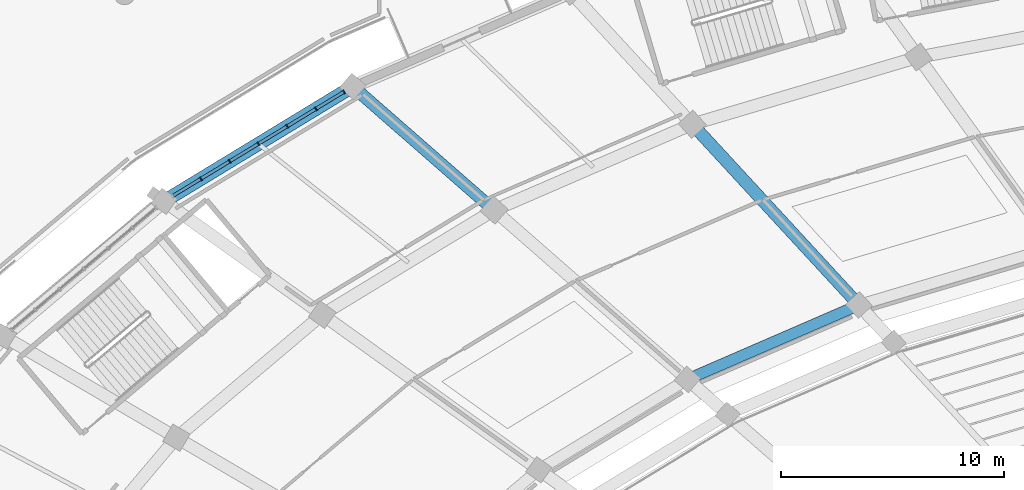
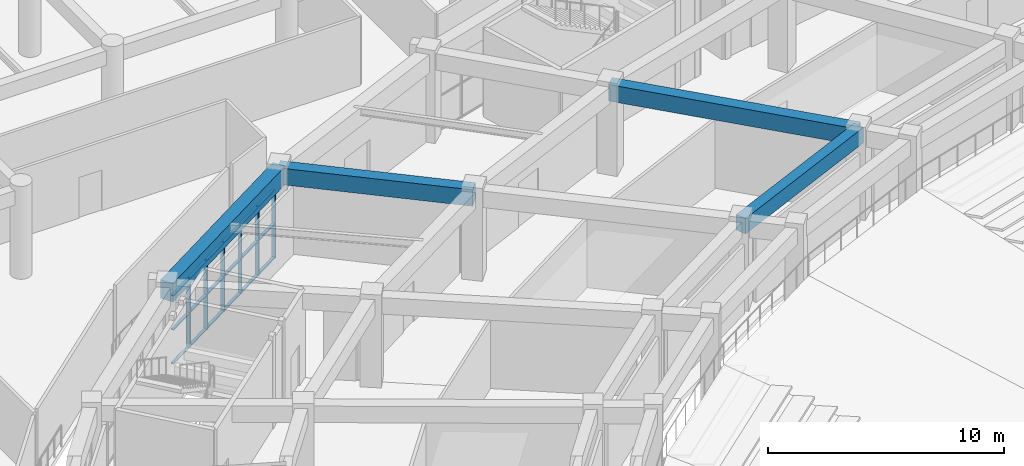
# One storey, part 58 of 152: 24 members, 4 beams, 1 element without a shape of its own.
"""IFC4 building model written with IfcOpenShell, lengths in metres."""

from ifc_helpers import new_model, si_unit, direction, frame, origin, origin_2d, place, context, subcontext, project, spatial, rectangle, extrude, material, layer, layer_set, material_profile, profile_set, type_object, element, aggregate, save


model = new_model("IFC4")

# Units and contexts
model_context = context("Model", 3, precision=1e-05, world=origin(), true_north=direction((0.0, 1.0)))
body_context = subcontext(model_context, "Body", "Model", "MODEL_VIEW")
ifc_project = project(units=[si_unit("LENGTHUNIT", "METRE"), si_unit("AREAUNIT", "SQUARE_METRE"), si_unit("VOLUMEUNIT", "CUBIC_METRE"), si_unit("PLANEANGLEUNIT", "RADIAN"), si_unit("MASSUNIT", "GRAM", prefix="KILO")], contexts=[model_context])

# Site, building, storey
site_placement = place(None, origin())
site = spatial("IfcSite", under=ifc_project, at=site_placement, CompositionType="ELEMENT")
building_placement = place(site_placement, origin())
building = spatial("IfcBuilding", under=site, at=building_placement, Name="Mphavela Belvedere Stadium", CompositionType="ELEMENT")
storey_placement = place(building_placement, frame((0.0, 0.0, 5.39990234375)))
storey = spatial("IfcBuildingStorey", under=building, at=storey_placement, Name="L01", CompositionType="ELEMENT", Elevation=5.39990234375)

# Beams
ifc_material_1 = material(Name="Concrete C40/50", Category="concrete")
ifc_material_profile_1 = material_profile(ifc_material_1, rectangle(XDim=0.60009765625, YDim=0.949951171875, at=origin_2d()), Name="RC 600x950")
ifc_profile_set_1 = profile_set([ifc_material_profile_1], Name="Concrete C40/50")
beam_type_1 = type_object("IfcBeamType", Name="BM-ENTABLATURE-950", PredefinedType="SPANDREL", material=ifc_profile_set_1)
beam_1_placement = place(storey_placement, frame((44.3037109375, 148.86083984375, 4.0751953125), z_axis=(-0.854326607994, -0.51973651678, 0.0), x_axis=(0.51973651678, -0.854326607994, 0.0)))
element("IfcBeam", 1, at=beam_1_placement, inside=storey, type_object=beam_type_1, Name="Circumferential girder L01 R4-18", PredefinedType="SPANDREL", context=body_context, shape_type="SweptSolid", body=[
    extrude(rectangle(XDim=0.60009765625, YDim=0.949951171875, at=origin_2d()), origin(), (0.0, 0.0, 1.0), 9.901611328125),
])
ifc_material_2 = material(Name="Concrete C40/50", Category="concrete")
ifc_material_profile_2 = material_profile(ifc_material_2, rectangle(XDim=0.5, YDim=0.800048828125, at=origin_2d()), Name="RC 500x800")
ifc_profile_set_2 = profile_set([ifc_material_profile_2], Name="Concrete C40/50")
beam_type_2 = type_object("IfcBeamType", Name="BM-RC500x800", PredefinedType="BEAM", material=ifc_profile_set_2)
beam_2_placement = place(storey_placement, frame((66.997314453125, 139.0625, 4.150146484375), z_axis=(-0.917495728928, -0.397745631526, 0.0), x_axis=(0.397745631526, -0.917495728928, 0.0)))
element("IfcBeam", 2, at=beam_2_placement, inside=storey, type_object=beam_type_2, Name="Circumferential girder L01 R2-17", PredefinedType="BEAM", context=body_context, shape_type="SweptSolid", body=[
    extrude(rectangle(XDim=0.5, YDim=0.800048828125, at=origin_2d()), origin(), (0.0, 0.0, 1.0), 8.37841796875),
])
ifc_material_3 = material(Name="Concrete C40/50", Category="concrete")
ifc_material_profile_3 = material_profile(ifc_material_3, rectangle(XDim=0.550048828125, YDim=0.85009765625, at=origin_2d()), Name="RC 550x850")
ifc_profile_set_3 = profile_set([ifc_material_profile_3], Name="Concrete C40/50")
beam_type_3 = type_object("IfcBeamType", Name="BM-RC550x850", PredefinedType="BEAM", material=ifc_profile_set_3)
beam_3_placement = place(storey_placement, frame((66.997314453125, 139.0625, 4.125), z_axis=(-0.677871643116, 0.735180274123, 0.0), x_axis=(-0.735180274123, -0.677871643116, 0.0)))
element("IfcBeam", 3, at=beam_3_placement, inside=storey, type_object=beam_type_3, Name="Radial concourse girder L01 R2R3-17", PredefinedType="BEAM", context=body_context, shape_type="SweptSolid", body=[
    extrude(rectangle(XDim=0.550048828125, YDim=0.85009765625, at=origin_2d()), origin(), (0.0, 0.0, 1.0), 11.025146484375),
])
beam_4_placement = place(storey_placement, frame((50.639892578125, 143.31689453125, 4.125), z_axis=(-0.752589268993, 0.658490236978, 0.0), x_axis=(-0.658490236978, -0.752589268993, 0.0)))
element("IfcBeam", 4, at=beam_4_placement, inside=storey, type_object=beam_type_3, Name="Radial concourse girder L01 R3R4-18", PredefinedType="BEAM", context=body_context, shape_type="SweptSolid", body=[
    extrude(rectangle(XDim=0.550048828125, YDim=0.85009765625, at=origin_2d()), origin(), (0.0, 0.0, 1.0), 8.419189453125),
])

# Curtain wall, members
ifc_material_4 = material(Name="Anodised bronze unitised curtain wall framing")
ifc_layer = layer(ifc_material_4, 0.199951171875)
ifc_layer_set = layer_set([ifc_layer], Name="Anodised bronze unitised curtain wall framing")
curtain_wall_type = type_object("IfcCurtainWallType", Name="CW-UNIT-05", PredefinedType="USERDEFINED", material=ifc_layer_set)
curtain_wall_placement = place(storey_placement, origin())
curtain_wall = element("IfcCurtainWall", 5, at=curtain_wall_placement, inside=storey, type_object=curtain_wall_type, Name="Belvedere colonnade curtain wall L01-18", ObjectType="UNITISED CURTAIN WALL", PredefinedType="USERDEFINED")
ifc_material_5 = material(Name="Anodised bronze extruded aluminium", Category="aluminium")
ifc_material_profile_4 = material_profile(ifc_material_5, rectangle(XDim=0.179931640625, YDim=0.06494140625, at=origin_2d()), Name="CW-MUL 180x65")
ifc_profile_set_4 = profile_set([ifc_material_profile_4], Name="Anodised bronze extruded aluminium")
member_type_1 = type_object("IfcMemberType", Name="CWM-180x65", PredefinedType="MULLION", material=ifc_profile_set_4)
member_1_placement = place(storey_placement, frame((43.91455078125, 148.6240234375, 0.0), z_axis=(0.0, 0.0, 1.0), x_axis=(0.51973463728, -0.8543277514, 0.0)))
member_1 = element("IfcMember", 6, at=member_1_placement, type_object=member_type_1, Name="CW-05 mullion 1", PredefinedType="MULLION", context=body_context, shape_type="SweptSolid", body=[
    extrude(rectangle(XDim=0.179931640625, YDim=0.06494140625, at=origin_2d()), origin(), (0.0, 0.0, 1.0), 3.570068359375),
])
member_2_placement = place(storey_placement, frame((42.653076171875, 147.8564453125, 0.0), z_axis=(0.0, 0.0, 1.0), x_axis=(0.51973463728, -0.8543277514, 0.0)))
member_2 = element("IfcMember", 7, at=member_2_placement, type_object=member_type_1, Name="CW-05 mullion 2", PredefinedType="MULLION", context=body_context, shape_type="SweptSolid", body=[
    extrude(rectangle(XDim=0.179931640625, YDim=0.06494140625, at=origin_2d()), origin(), (0.0, 0.0, 1.0), 3.570068359375),
])
member_3_placement = place(storey_placement, frame((41.363525390625, 147.072021484375, 0.0), z_axis=(0.0, 0.0, 1.0), x_axis=(0.51973463728, -0.8543277514, 0.0)))
member_3 = element("IfcMember", 8, at=member_3_placement, type_object=member_type_1, Name="CW-05 mullion 3", PredefinedType="MULLION", context=body_context, shape_type="SweptSolid", body=[
    extrude(rectangle(XDim=0.179931640625, YDim=0.06494140625, at=origin_2d()), origin(), (0.0, 0.0, 1.0), 3.570068359375),
])
member_4_placement = place(storey_placement, frame((40.07421875, 146.28759765625, 0.0), z_axis=(0.0, 0.0, 1.0), x_axis=(0.51973463728, -0.8543277514, 0.0)))
member_4 = element("IfcMember", 9, at=member_4_placement, type_object=member_type_1, Name="CW-05 mullion 4", PredefinedType="MULLION", context=body_context, shape_type="SweptSolid", body=[
    extrude(rectangle(XDim=0.179931640625, YDim=0.06494140625, at=origin_2d()), origin(), (0.0, 0.0, 1.0), 3.570068359375),
])
member_5_placement = place(storey_placement, frame((38.78466796875, 145.503173828125, 0.0), z_axis=(0.0, 0.0, 1.0), x_axis=(0.51973463728, -0.8543277514, 0.0)))
member_5 = element("IfcMember", 10, at=member_5_placement, type_object=member_type_1, Name="CW-05 mullion 5", PredefinedType="MULLION", context=body_context, shape_type="SweptSolid", body=[
    extrude(rectangle(XDim=0.179931640625, YDim=0.06494140625, at=origin_2d()), origin(), (0.0, 0.0, 1.0), 3.570068359375),
])
member_6_placement = place(storey_placement, frame((37.4951171875, 144.71875, 0.0), z_axis=(0.0, 0.0, 1.0), x_axis=(0.51973463728, -0.8543277514, 0.0)))
member_6 = element("IfcMember", 11, at=member_6_placement, type_object=member_type_1, Name="CW-05 mullion 6", PredefinedType="MULLION", context=body_context, shape_type="SweptSolid", body=[
    extrude(rectangle(XDim=0.179931640625, YDim=0.06494140625, at=origin_2d()), origin(), (0.0, 0.0, 1.0), 3.570068359375),
])
ifc_material_6 = material(Name="Anodised bronze extruded aluminium", Category="aluminium")
ifc_material_profile_5 = material_profile(ifc_material_6, rectangle(XDim=0.139892578125, YDim=0.06005859375, at=origin_2d()), Name="CW-TRN 140x60")
ifc_profile_set_5 = profile_set([ifc_material_profile_5], Name="Anodised bronze extruded aluminium")
member_type_2 = type_object("IfcMemberType", Name="CWT-140x60", PredefinedType="USERDEFINED", material=ifc_profile_set_5)
member_7_placement = place(storey_placement, frame((43.886962890625, 148.607177734375, 0.030029296875), z_axis=(-0.854395503331, -0.519623251874, 0.0), x_axis=(0.519623251874, -0.854395503331, 0.0)))
member_7 = element("IfcMember", 12, at=member_7_placement, type_object=member_type_2, Name="CW-05 transom 1.1", ObjectType="TRANSOM", PredefinedType="USERDEFINED", context=body_context, shape_type="SweptSolid", body=[
    extrude(rectangle(XDim=0.139892578125, YDim=0.06005859375, at=origin_2d()), origin(), (0.0, 0.0, 1.0), 1.411865234375),
])
member_8_placement = place(storey_placement, frame((43.886962890625, 148.607177734375, 1.78515625), z_axis=(-0.854395503331, -0.519623251874, 0.0), x_axis=(0.519623251874, -0.854395503331, 0.0)))
member_8 = element("IfcMember", 13, at=member_8_placement, type_object=member_type_2, Name="CW-05 transom 1.2", ObjectType="TRANSOM", PredefinedType="USERDEFINED", context=body_context, shape_type="SweptSolid", body=[
    extrude(rectangle(XDim=0.139892578125, YDim=0.06005859375, at=origin_2d()), origin(), (0.0, 0.0, 1.0), 1.411865234375),
])
member_9_placement = place(storey_placement, frame((43.886962890625, 148.607177734375, 3.5400390625), z_axis=(-0.854395503331, -0.519623251874, 0.0), x_axis=(0.519623251874, -0.854395503331, 0.0)))
member_9 = element("IfcMember", 14, at=member_9_placement, type_object=member_type_2, Name="CW-05 transom 1.3", ObjectType="TRANSOM", PredefinedType="USERDEFINED", context=body_context, shape_type="SweptSolid", body=[
    extrude(rectangle(XDim=0.139892578125, YDim=0.06005859375, at=origin_2d()), origin(), (0.0, 0.0, 1.0), 1.411865234375),
])
member_10_placement = place(storey_placement, frame((42.625244140625, 147.839599609375, 0.030029296875), z_axis=(-0.85437478406, -0.519657318203, 0.0), x_axis=(0.519657318203, -0.85437478406, 0.0)))
member_10 = element("IfcMember", 15, at=member_10_placement, type_object=member_type_2, Name="CW-05 transom 2.1", ObjectType="TRANSOM", PredefinedType="USERDEFINED", context=body_context, shape_type="SweptSolid", body=[
    extrude(rectangle(XDim=0.139892578125, YDim=0.06005859375, at=origin_2d()), origin(), (0.0, 0.0, 1.0), 1.444091796875),
])
member_11_placement = place(storey_placement, frame((42.625244140625, 147.839599609375, 1.78515625), z_axis=(-0.85437478406, -0.519657318203, 0.0), x_axis=(0.519657318203, -0.85437478406, 0.0)))
member_11 = element("IfcMember", 16, at=member_11_placement, type_object=member_type_2, Name="CW-05 transom 2.2", ObjectType="TRANSOM", PredefinedType="USERDEFINED", context=body_context, shape_type="SweptSolid", body=[
    extrude(rectangle(XDim=0.139892578125, YDim=0.06005859375, at=origin_2d()), origin(), (0.0, 0.0, 1.0), 1.444091796875),
])
member_12_placement = place(storey_placement, frame((42.625244140625, 147.839599609375, 3.5400390625), z_axis=(-0.85437478406, -0.519657318203, 0.0), x_axis=(0.519657318203, -0.85437478406, 0.0)))
member_12 = element("IfcMember", 17, at=member_12_placement, type_object=member_type_2, Name="CW-05 transom 2.3", ObjectType="TRANSOM", PredefinedType="USERDEFINED", context=body_context, shape_type="SweptSolid", body=[
    extrude(rectangle(XDim=0.139892578125, YDim=0.06005859375, at=origin_2d()), origin(), (0.0, 0.0, 1.0), 1.444091796875),
])
member_13_placement = place(storey_placement, frame((41.335693359375, 147.05517578125, 0.030029296875), z_axis=(-0.85437478406, -0.519657318203, 0.0), x_axis=(0.519657318203, -0.85437478406, 0.0)))
member_13 = element("IfcMember", 18, at=member_13_placement, type_object=member_type_2, Name="CW-05 transom 3.1", ObjectType="TRANSOM", PredefinedType="USERDEFINED", context=body_context, shape_type="SweptSolid", body=[
    extrude(rectangle(XDim=0.139892578125, YDim=0.06005859375, at=origin_2d()), origin(), (0.0, 0.0, 1.0), 1.444091796875),
])
member_14_placement = place(storey_placement, frame((41.335693359375, 147.05517578125, 1.78515625), z_axis=(-0.85437478406, -0.519657318203, 0.0), x_axis=(0.519657318203, -0.85437478406, 0.0)))
member_14 = element("IfcMember", 19, at=member_14_placement, type_object=member_type_2, Name="CW-05 transom 3.2", ObjectType="TRANSOM", PredefinedType="USERDEFINED", context=body_context, shape_type="SweptSolid", body=[
    extrude(rectangle(XDim=0.139892578125, YDim=0.06005859375, at=origin_2d()), origin(), (0.0, 0.0, 1.0), 1.444091796875),
])
member_15_placement = place(storey_placement, frame((41.335693359375, 147.05517578125, 3.5400390625), z_axis=(-0.85437478406, -0.519657318203, 0.0), x_axis=(0.519657318203, -0.85437478406, 0.0)))
member_15 = element("IfcMember", 20, at=member_15_placement, type_object=member_type_2, Name="CW-05 transom 3.3", ObjectType="TRANSOM", PredefinedType="USERDEFINED", context=body_context, shape_type="SweptSolid", body=[
    extrude(rectangle(XDim=0.139892578125, YDim=0.06005859375, at=origin_2d()), origin(), (0.0, 0.0, 1.0), 1.444091796875),
])
member_16_placement = place(storey_placement, frame((40.04638671875, 146.270751953125, 0.030029296875), z_axis=(-0.85437478406, -0.519657318203, 0.0), x_axis=(0.519657318203, -0.85437478406, 0.0)))
member_16 = element("IfcMember", 21, at=member_16_placement, type_object=member_type_2, Name="CW-05 transom 4.1", ObjectType="TRANSOM", PredefinedType="USERDEFINED", context=body_context, shape_type="SweptSolid", body=[
    extrude(rectangle(XDim=0.139892578125, YDim=0.06005859375, at=origin_2d()), origin(), (0.0, 0.0, 1.0), 1.444091796875),
])
member_17_placement = place(storey_placement, frame((40.04638671875, 146.270751953125, 1.78515625), z_axis=(-0.85437478406, -0.519657318203, 0.0), x_axis=(0.519657318203, -0.85437478406, 0.0)))
member_17 = element("IfcMember", 22, at=member_17_placement, type_object=member_type_2, Name="CW-05 transom 4.2", ObjectType="TRANSOM", PredefinedType="USERDEFINED", context=body_context, shape_type="SweptSolid", body=[
    extrude(rectangle(XDim=0.139892578125, YDim=0.06005859375, at=origin_2d()), origin(), (0.0, 0.0, 1.0), 1.444091796875),
])
member_18_placement = place(storey_placement, frame((40.04638671875, 146.270751953125, 3.5400390625), z_axis=(-0.85437478406, -0.519657318203, 0.0), x_axis=(0.519657318203, -0.85437478406, 0.0)))
member_18 = element("IfcMember", 23, at=member_18_placement, type_object=member_type_2, Name="CW-05 transom 4.3", ObjectType="TRANSOM", PredefinedType="USERDEFINED", context=body_context, shape_type="SweptSolid", body=[
    extrude(rectangle(XDim=0.139892578125, YDim=0.06005859375, at=origin_2d()), origin(), (0.0, 0.0, 1.0), 1.444091796875),
])
member_19_placement = place(storey_placement, frame((38.7568359375, 145.486328125, 0.030029296875), z_axis=(-0.85437478406, -0.519657318203, 0.0), x_axis=(0.519657318203, -0.85437478406, 0.0)))
member_19 = element("IfcMember", 24, at=member_19_placement, type_object=member_type_2, Name="CW-05 transom 5.1", ObjectType="TRANSOM", PredefinedType="USERDEFINED", context=body_context, shape_type="SweptSolid", body=[
    extrude(rectangle(XDim=0.139892578125, YDim=0.06005859375, at=origin_2d()), origin(), (0.0, 0.0, 1.0), 1.444091796875),
])
member_20_placement = place(storey_placement, frame((38.7568359375, 145.486328125, 1.78515625), z_axis=(-0.85437478406, -0.519657318203, 0.0), x_axis=(0.519657318203, -0.85437478406, 0.0)))
member_20 = element("IfcMember", 25, at=member_20_placement, type_object=member_type_2, Name="CW-05 transom 5.2", ObjectType="TRANSOM", PredefinedType="USERDEFINED", context=body_context, shape_type="SweptSolid", body=[
    extrude(rectangle(XDim=0.139892578125, YDim=0.06005859375, at=origin_2d()), origin(), (0.0, 0.0, 1.0), 1.444091796875),
])
member_21_placement = place(storey_placement, frame((38.7568359375, 145.486328125, 3.5400390625), z_axis=(-0.85437478406, -0.519657318203, 0.0), x_axis=(0.519657318203, -0.85437478406, 0.0)))
member_21 = element("IfcMember", 26, at=member_21_placement, type_object=member_type_2, Name="CW-05 transom 5.3", ObjectType="TRANSOM", PredefinedType="USERDEFINED", context=body_context, shape_type="SweptSolid", body=[
    extrude(rectangle(XDim=0.139892578125, YDim=0.06005859375, at=origin_2d()), origin(), (0.0, 0.0, 1.0), 1.444091796875),
])
member_22_placement = place(storey_placement, frame((37.467529296875, 144.701904296875, 0.030029296875), z_axis=(-0.854395503331, -0.519623251874, 0.0), x_axis=(0.519623251874, -0.854395503331, 0.0)))
member_22 = element("IfcMember", 27, at=member_22_placement, type_object=member_type_2, Name="CW-05 transom 6.1", ObjectType="TRANSOM", PredefinedType="USERDEFINED", context=body_context, shape_type="SweptSolid", body=[
    extrude(rectangle(XDim=0.139892578125, YDim=0.06005859375, at=origin_2d()), origin(), (0.0, 0.0, 1.0), 1.411865234375),
])
member_23_placement = place(storey_placement, frame((37.467529296875, 144.701904296875, 1.78515625), z_axis=(-0.854395503331, -0.519623251874, 0.0), x_axis=(0.519623251874, -0.854395503331, 0.0)))
member_23 = element("IfcMember", 28, at=member_23_placement, type_object=member_type_2, Name="CW-05 transom 6.2", ObjectType="TRANSOM", PredefinedType="USERDEFINED", context=body_context, shape_type="SweptSolid", body=[
    extrude(rectangle(XDim=0.139892578125, YDim=0.06005859375, at=origin_2d()), origin(), (0.0, 0.0, 1.0), 1.411865234375),
])
member_24_placement = place(storey_placement, frame((37.467529296875, 144.701904296875, 3.5400390625), z_axis=(-0.854395503331, -0.519623251874, 0.0), x_axis=(0.519623251874, -0.854395503331, 0.0)))
member_24 = element("IfcMember", 29, at=member_24_placement, type_object=member_type_2, Name="CW-05 transom 6.3", ObjectType="TRANSOM", PredefinedType="USERDEFINED", context=body_context, shape_type="SweptSolid", body=[
    extrude(rectangle(XDim=0.139892578125, YDim=0.06005859375, at=origin_2d()), origin(), (0.0, 0.0, 1.0), 1.411865234375),
])
aggregate(curtain_wall, [member_1, member_2, member_3, member_4, member_5, member_6, member_7, member_8, member_9, member_10, member_11, member_12, member_13, member_14, member_15, member_16, member_17, member_18, member_19, member_20, member_21, member_22, member_23, member_24])

save(model, "model.ifc")
